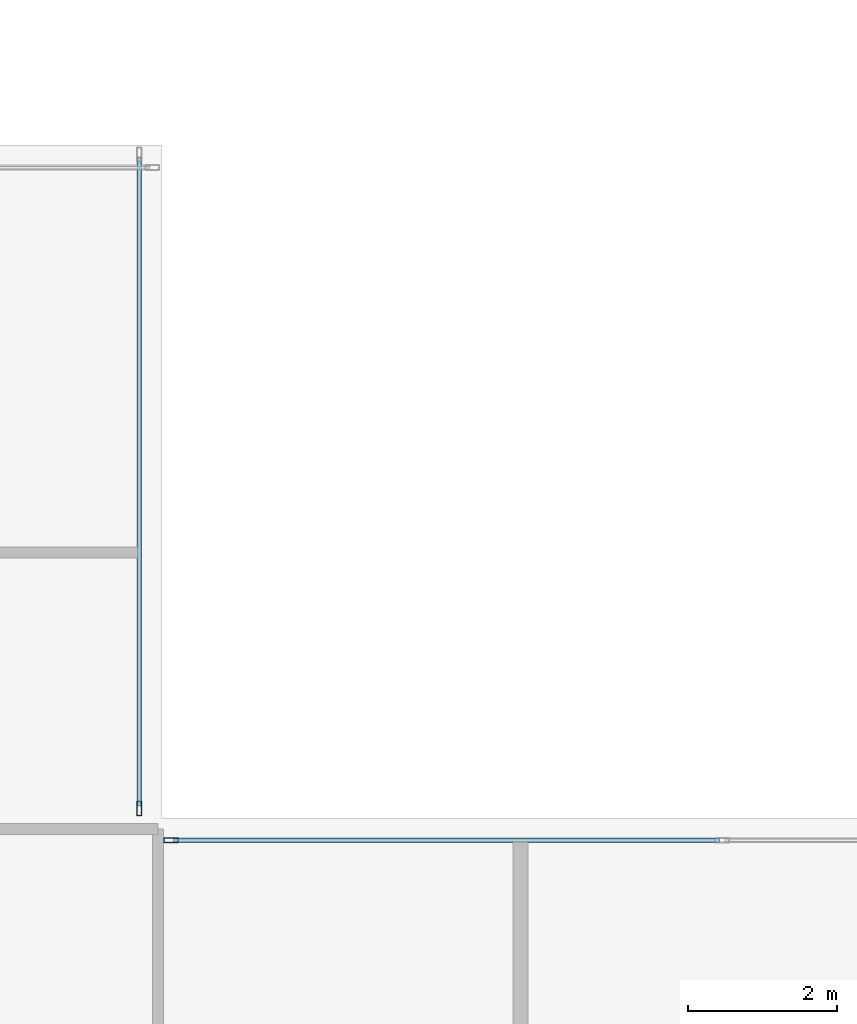
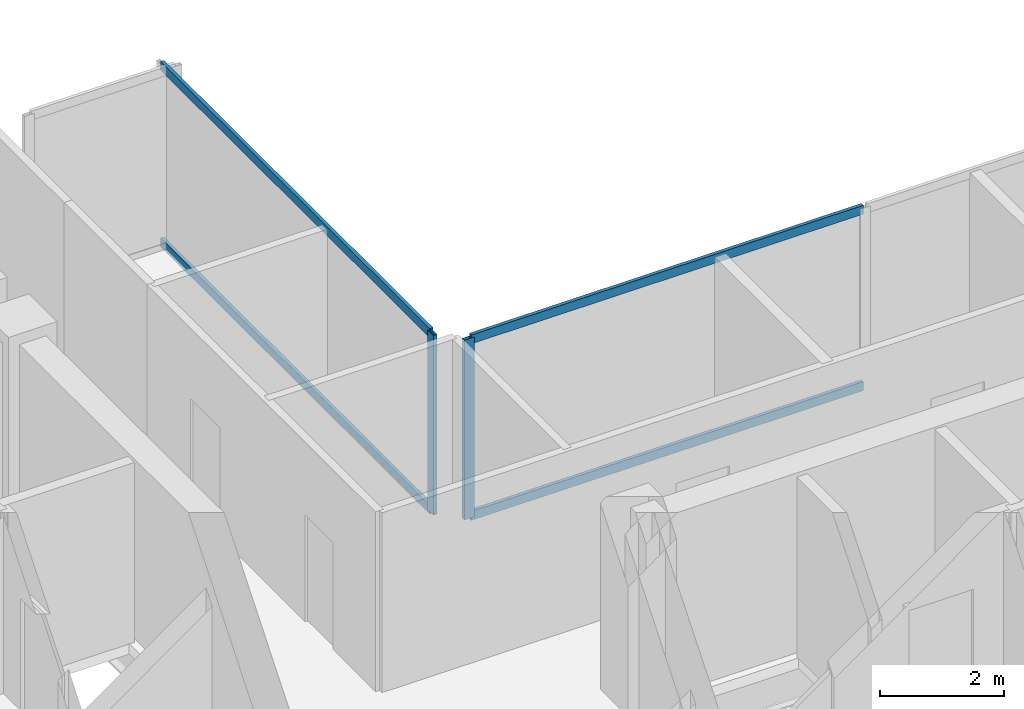
# One storey, part 10 of 25: 6 members, 2 elements without a shape of their own.
"""IFC4 building model written with IfcOpenShell, lengths in metres."""

from ifc_helpers import new_model, si_unit, direction, frame, origin, origin_2d, place, context, subcontext, project, spatial, hollow_rectangle, extrude, material, layer, layer_set, material_profile, profile_set, type_object, element, aggregate, save


model = new_model("IFC4")

# Units and contexts
model_context = context("Model", 3, precision=1e-05, world=origin(), true_north=direction((0.0, 1.0)))
body_context = subcontext(model_context, "Body", "Model", "MODEL_VIEW")
ifc_project = project(units=[si_unit("LENGTHUNIT", "METRE"), si_unit("AREAUNIT", "SQUARE_METRE"), si_unit("VOLUMEUNIT", "CUBIC_METRE"), si_unit("PLANEANGLEUNIT", "RADIAN"), si_unit("MASSUNIT", "GRAM", prefix="KILO"), si_unit("THERMODYNAMICTEMPERATUREUNIT", "KELVIN"), si_unit("POWERUNIT", "WATT")], contexts=[model_context])

# Site, building, storey
site_placement = place(None, origin())
site = spatial("IfcSite", under=ifc_project, at=site_placement, CompositionType="ELEMENT")
building_placement = place(site_placement, origin())
building = spatial("IfcBuilding", under=site, at=building_placement, Name="Svarakhadi Broadcast Tower", CompositionType="ELEMENT")
storey_placement = place(building_placement, frame((0.0, 0.0, 227.39990234375)))
storey = spatial("IfcBuildingStorey", under=building, at=storey_placement, Name="L56", CompositionType="ELEMENT", Elevation=227.39990234375)

# Curtain wall, member
ifc_material = material(Name="Anodised Bronze Aluminium AA 6063-T6", Category="aluminium")
ifc_layer = layer(ifc_material, 0.18994140625)
ifc_layer_set = layer_set([ifc_layer], Name="Anodised Bronze Aluminium AA 6063-T6")
curtain_wall_type = type_object("IfcCurtainWallType", Name="CW_Sys_04", PredefinedType="NOTDEFINED", material=ifc_layer_set)
curtain_wall_1_placement = place(storey_placement, origin())
curtain_wall_1 = element("IfcCurtainWall", 1, at=curtain_wall_1_placement, inside=storey, type_object=curtain_wall_type, Name="L56 Unitised Facade Curtain Wall 09", PredefinedType="NOTDEFINED")
ifc_material_profile_1 = material_profile(ifc_material, hollow_rectangle(XDim=0.070068359375, YDim=0.18994140625, WallThickness=0.005615234375, at=origin_2d()), Name="ALU MULLION 190x70x6")
ifc_profile_set_1 = profile_set([ifc_material_profile_1], Name="Anodised Bronze Aluminium AA 6063-T6")
member_type_1 = type_object("IfcMemberType", Name="CW_Sys_04_Mul", PredefinedType="MULLION", material=ifc_profile_set_1)
member_1_placement = place(storey_placement, frame((23.699951171875, 24.125, 0.0), z_axis=(0.0, 0.0, 1.0), x_axis=(1.0, 0.0, 0.0)))
member_1 = element("IfcMember", 2, at=member_1_placement, type_object=member_type_1, Name="CW-04 mullion 2", PredefinedType="MULLION", context=body_context, shape_type="SweptSolid", body=[
    extrude(hollow_rectangle(XDim=0.070068359375, YDim=0.18994140625, WallThickness=0.005615234375, at=origin_2d()), origin(), (0.0, 0.0, 1.0), 3.5400390625),
])

curtain_wall_2_placement = place(storey_placement, origin())
curtain_wall_2 = element("IfcCurtainWall", 3, at=curtain_wall_2_placement, inside=storey, type_object=curtain_wall_type, Name="L56 Unitised Facade Curtain Wall 10", PredefinedType="NOTDEFINED")
member_2_placement = place(storey_placement, frame((24.125, 23.699951171875, 0.0), z_axis=(0.0, 0.0, 1.0), x_axis=(0.0, 1.0, 0.0)))
member_2 = element("IfcMember", 4, at=member_2_placement, type_object=member_type_1, Name="CW-04 mullion 1", PredefinedType="MULLION", context=body_context, shape_type="SweptSolid", body=[
    extrude(hollow_rectangle(XDim=0.070068359375, YDim=0.18994140625, WallThickness=0.005615234375, at=origin_2d()), origin(), (0.0, 0.0, 1.0), 3.5400390625),
])

# Member
ifc_material_profile_2 = material_profile(ifc_material, hollow_rectangle(XDim=0.06494140625, YDim=0.175048828125, WallThickness=0.0048828125, at=origin_2d()), Name="ALU TRANSOM 175x65x5")
ifc_profile_set_2 = profile_set([ifc_material_profile_2], Name="Anodised Bronze Aluminium AA 6063-T6")
member_type_2 = type_object("IfcMemberType", Name="CW_Sys_04_Trn", PredefinedType="USERDEFINED", material=ifc_profile_set_2)
member_3_placement = place(storey_placement, frame((23.699951171875, 32.840087890625, 0.03271484375), z_axis=(0.0, -1.0, 0.0), x_axis=(1.0, 0.0, 0.0)))
member_3 = element("IfcMember", 5, at=member_3_placement, type_object=member_type_2, Name="CW-04 transom 1.1", ObjectType="TRANSOM", PredefinedType="USERDEFINED", context=body_context, shape_type="SweptSolid", body=[
    extrude(hollow_rectangle(XDim=0.06494140625, YDim=0.175048828125, WallThickness=0.0048828125, at=origin_2d()), origin(), (0.0, 0.0, 1.0), 8.68017578125),
])

member_4_placement = place(storey_placement, frame((23.699951171875, 32.840087890625, 3.507568359375), z_axis=(0.0, -1.0, 0.0), x_axis=(1.0, 0.0, 0.0)))
member_4 = element("IfcMember", 6, at=member_4_placement, type_object=member_type_2, Name="CW-04 transom 1.2", ObjectType="TRANSOM", PredefinedType="USERDEFINED", context=body_context, shape_type="SweptSolid", body=[
    extrude(hollow_rectangle(XDim=0.06494140625, YDim=0.175048828125, WallThickness=0.0048828125, at=origin_2d()), origin(), (0.0, 0.0, 1.0), 8.68017578125),
])

aggregate(curtain_wall_1, [member_1, member_3, member_4])

member_5_placement = place(storey_placement, frame((24.159912109375, 23.699951171875, 0.03271484375), z_axis=(1.0, 0.0, 0.0), x_axis=(0.0, 1.0, 0.0)))
member_5 = element("IfcMember", 7, at=member_5_placement, type_object=member_type_2, Name="CW-04 transom 1.1", ObjectType="TRANSOM", PredefinedType="USERDEFINED", context=body_context, shape_type="SweptSolid", body=[
    extrude(hollow_rectangle(XDim=0.06494140625, YDim=0.175048828125, WallThickness=0.0048828125, at=origin_2d()), origin(), (0.0, 0.0, 1.0), 7.30517578125),
])

member_6_placement = place(storey_placement, frame((24.159912109375, 23.699951171875, 3.507568359375), z_axis=(1.0, 0.0, 0.0), x_axis=(0.0, 1.0, 0.0)))
member_6 = element("IfcMember", 8, at=member_6_placement, type_object=member_type_2, Name="CW-04 transom 1.2", ObjectType="TRANSOM", PredefinedType="USERDEFINED", context=body_context, shape_type="SweptSolid", body=[
    extrude(hollow_rectangle(XDim=0.06494140625, YDim=0.175048828125, WallThickness=0.0048828125, at=origin_2d()), origin(), (0.0, 0.0, 1.0), 7.30517578125),
])

aggregate(curtain_wall_2, [member_2, member_5, member_6])

save(model, "model.ifc")
